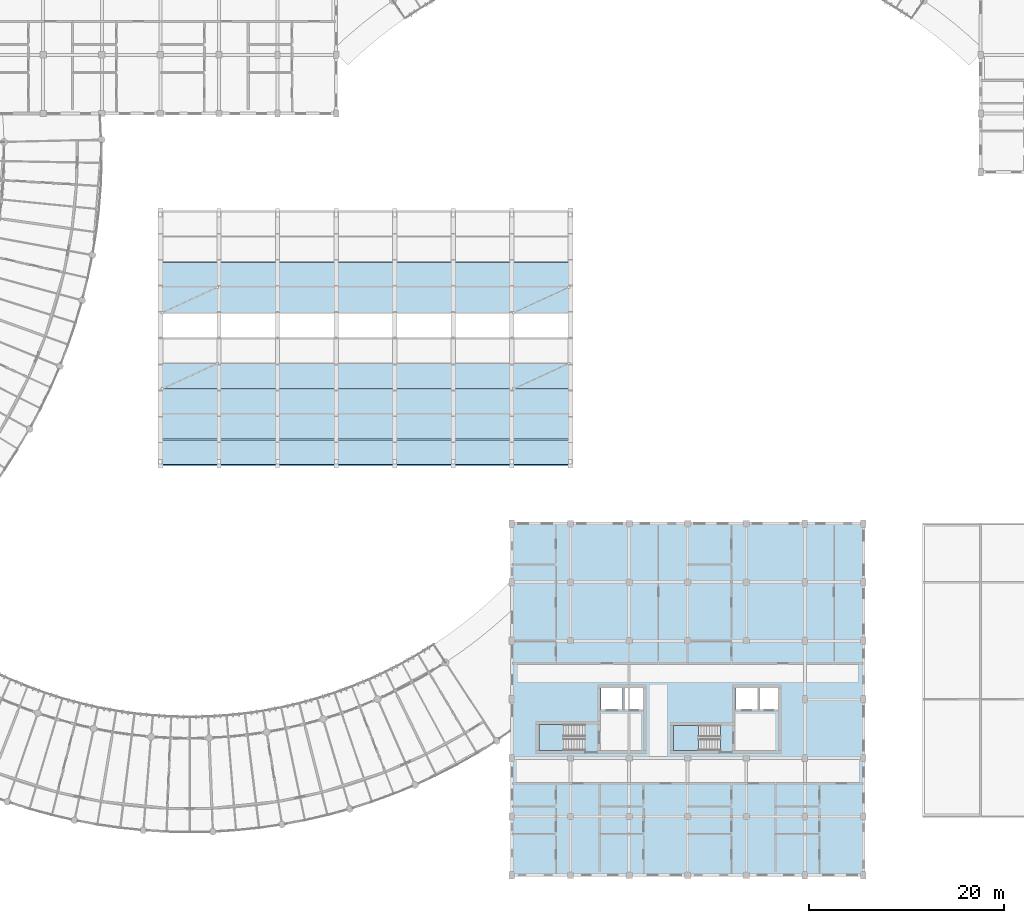
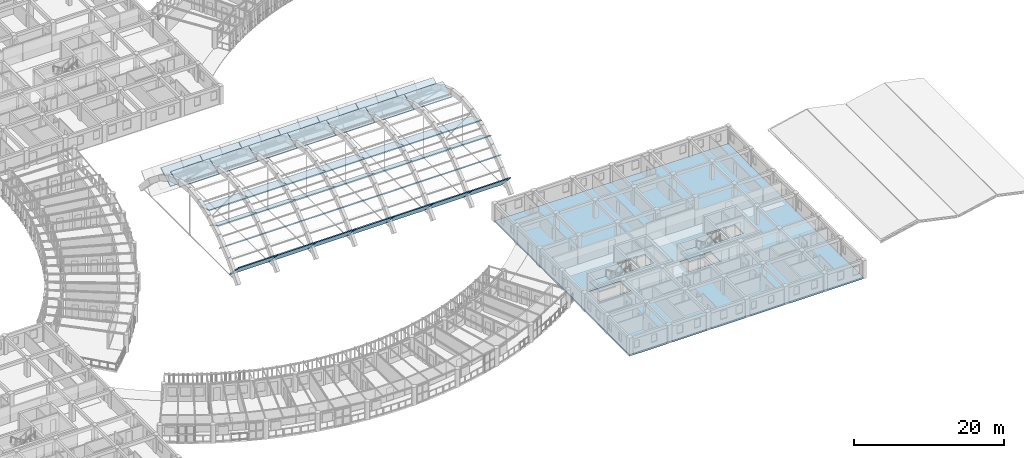
# One storey, part 63 of 123: 42 plates, 3 slabs, 2 elements without a shape of their own.
"""IFC4 building model written with IfcOpenShell, lengths in metres."""

from ifc_helpers import new_model, si_unit, direction, frame, origin, origin_2d, place, context, subcontext, project, spatial, polyline, rectangle, outline, extrude, material, layer, layer_set, type_object, element, aggregate, save


model = new_model("IFC4")

# Units and contexts
model_context = context("Model", 3, precision=1e-05, world=origin(), true_north=direction((0.0, 1.0)))
body_context = subcontext(model_context, "Body", "Model", "MODEL_VIEW")
ifc_project = project(units=[si_unit("LENGTHUNIT", "METRE"), si_unit("AREAUNIT", "SQUARE_METRE"), si_unit("VOLUMEUNIT", "CUBIC_METRE"), si_unit("PLANEANGLEUNIT", "RADIAN"), si_unit("MASSUNIT", "GRAM", prefix="KILO"), si_unit("POWERUNIT", "WATT"), si_unit("THERMODYNAMICTEMPERATUREUNIT", "KELVIN")], contexts=[model_context])

# Site, building, storey
site_placement = place(None, origin())
site = spatial("IfcSite", under=ifc_project, at=site_placement, CompositionType="ELEMENT")
building_placement = place(site_placement, origin())
building = spatial("IfcBuilding", under=site, at=building_placement, Name="Ruvembo Vaulted Housing Court", CompositionType="ELEMENT")
storey_placement = place(building_placement, frame((0.0, 0.0, 7.699951171875)))
storey = spatial("IfcBuildingStorey", under=building, at=storey_placement, Name="L02", CompositionType="ELEMENT", Elevation=7.699951171875)

# Plates
ifc_material_1 = material(Name="Precast concrete C35/45", Category="concrete")
ifc_layer_1 = layer(ifc_material_1, 0.139892578125, Name="Precast concrete C35/45")
ifc_layer_set_1 = layer_set([ifc_layer_1], Name="Precast concrete C35/45")
plate_type_1 = type_object("IfcPlateType", Name="PL-VAULT-140", PredefinedType="USERDEFINED", material=ifc_layer_set_1)
plate_1_placement = place(storey_placement, frame((69.0, 48.464599609375, 4.138671875), z_axis=(0.0, 0.504693374562, 0.863298672345), x_axis=(1.0, 0.0, 0.0)))
element("IfcPlate", 1, at=plate_1_placement, inside=storey, type_object=plate_type_1, Name="Precast Vault Haunch Shell Panel Bay 1.2", ObjectType="VAULT_SHELL_PANEL", PredefinedType="USERDEFINED", context=body_context, shape_type="SweptSolid", body=[
    extrude(rectangle(XDim=5.9599609375, YDim=2.981689453125, at=origin_2d()), origin(), (0.0, 0.0, 1.0), 0.139892578125),
])
for number, where, z_axis, x_axis, name in (
    (2, (69.0, 51.076904296875, 5.34912109375), (0.0, 0.330992050945, 0.94363354233), (1.0, 0.0, 0.0), "Precast Vault Haunch Shell Panel Bay 1.3"),
    (3, (69.0, 58.923095703125, 5.34912109375), (0.0, -0.330992050945, 0.94363354233), (1.0, 0.0, 0.0), "Precast Vault Haunch Shell Panel Bay 1.6"),
):
    element("IfcPlate", number, at=place(storey_placement, frame(where, z_axis=z_axis, x_axis=x_axis)), inside=storey, type_object=plate_type_1, Name=name, ObjectType="VAULT_SHELL_PANEL", PredefinedType="USERDEFINED", context=body_context, shape_type="SweptSolid", body=[
        extrude(rectangle(XDim=5.9599609375, YDim=2.725341796875, at=origin_2d()), origin(), (0.0, 0.0, 1.0), 0.139892578125),
    ])
for number, where, z_axis, x_axis, name in (
    (4, (69.0, 61.535400390625, 4.138671875), (0.0, -0.504693374562, 0.863298672345), (1.0, 0.0, 0.0), "Precast Vault Haunch Shell Panel Bay 1.7"),
    (5, (75.0, 48.464599609375, 4.138671875), (0.0, 0.504693374562, 0.863298672345), (1.0, 0.0, 0.0), "Precast Vault Haunch Shell Panel Bay 2.2"),
):
    element("IfcPlate", number, at=place(storey_placement, frame(where, z_axis=z_axis, x_axis=x_axis)), inside=storey, type_object=plate_type_1, Name=name, ObjectType="VAULT_SHELL_PANEL", PredefinedType="USERDEFINED", context=body_context, shape_type="SweptSolid", body=[
        extrude(rectangle(XDim=5.9599609375, YDim=2.981689453125, at=origin_2d()), origin(), (0.0, 0.0, 1.0), 0.139892578125),
    ])
for number, where, z_axis, x_axis, name in (
    (6, (75.0, 51.076904296875, 5.34912109375), (0.0, 0.330992050945, 0.94363354233), (1.0, 0.0, 0.0), "Precast Vault Haunch Shell Panel Bay 2.3"),
    (7, (75.0, 58.923095703125, 5.34912109375), (0.0, -0.330992050945, 0.94363354233), (1.0, 0.0, 0.0), "Precast Vault Haunch Shell Panel Bay 2.6"),
):
    element("IfcPlate", number, at=place(storey_placement, frame(where, z_axis=z_axis, x_axis=x_axis)), inside=storey, type_object=plate_type_1, Name=name, ObjectType="VAULT_SHELL_PANEL", PredefinedType="USERDEFINED", context=body_context, shape_type="SweptSolid", body=[
        extrude(rectangle(XDim=5.9599609375, YDim=2.725341796875, at=origin_2d()), origin(), (0.0, 0.0, 1.0), 0.139892578125),
    ])
for number, where, z_axis, x_axis, name in (
    (8, (75.0, 61.535400390625, 4.138671875), (0.0, -0.504693374562, 0.863298672345), (1.0, 0.0, 0.0), "Precast Vault Haunch Shell Panel Bay 2.7"),
    (9, (81.0, 48.464599609375, 4.138671875), (0.0, 0.504693374562, 0.863298672345), (1.0, 0.0, 0.0), "Precast Vault Haunch Shell Panel Bay 3.2"),
):
    element("IfcPlate", number, at=place(storey_placement, frame(where, z_axis=z_axis, x_axis=x_axis)), inside=storey, type_object=plate_type_1, Name=name, ObjectType="VAULT_SHELL_PANEL", PredefinedType="USERDEFINED", context=body_context, shape_type="SweptSolid", body=[
        extrude(rectangle(XDim=5.9599609375, YDim=2.981689453125, at=origin_2d()), origin(), (0.0, 0.0, 1.0), 0.139892578125),
    ])
for number, where, z_axis, x_axis, name in (
    (10, (81.0, 51.076904296875, 5.34912109375), (0.0, 0.330992050945, 0.94363354233), (1.0, 0.0, 0.0), "Precast Vault Haunch Shell Panel Bay 3.3"),
    (11, (81.0, 58.923095703125, 5.34912109375), (0.0, -0.330992050945, 0.94363354233), (1.0, 0.0, 0.0), "Precast Vault Haunch Shell Panel Bay 3.6"),
):
    element("IfcPlate", number, at=place(storey_placement, frame(where, z_axis=z_axis, x_axis=x_axis)), inside=storey, type_object=plate_type_1, Name=name, ObjectType="VAULT_SHELL_PANEL", PredefinedType="USERDEFINED", context=body_context, shape_type="SweptSolid", body=[
        extrude(rectangle(XDim=5.9599609375, YDim=2.725341796875, at=origin_2d()), origin(), (0.0, 0.0, 1.0), 0.139892578125),
    ])
for number, where, z_axis, x_axis, name in (
    (12, (81.0, 61.535400390625, 4.138671875), (0.0, -0.504693374562, 0.863298672345), (1.0, 0.0, 0.0), "Precast Vault Haunch Shell Panel Bay 3.7"),
    (13, (87.0, 48.464599609375, 4.138671875), (0.0, 0.504693374562, 0.863298672345), (1.0, 0.0, 0.0), "Precast Vault Haunch Shell Panel Bay 4.2"),
):
    element("IfcPlate", number, at=place(storey_placement, frame(where, z_axis=z_axis, x_axis=x_axis)), inside=storey, type_object=plate_type_1, Name=name, ObjectType="VAULT_SHELL_PANEL", PredefinedType="USERDEFINED", context=body_context, shape_type="SweptSolid", body=[
        extrude(rectangle(XDim=5.9599609375, YDim=2.981689453125, at=origin_2d()), origin(), (0.0, 0.0, 1.0), 0.139892578125),
    ])
for number, where, z_axis, x_axis, name in (
    (14, (87.0, 51.076904296875, 5.34912109375), (0.0, 0.330992050945, 0.94363354233), (1.0, 0.0, 0.0), "Precast Vault Haunch Shell Panel Bay 4.3"),
    (15, (87.0, 58.923095703125, 5.34912109375), (0.0, -0.330992050945, 0.94363354233), (1.0, 0.0, 0.0), "Precast Vault Haunch Shell Panel Bay 4.6"),
):
    element("IfcPlate", number, at=place(storey_placement, frame(where, z_axis=z_axis, x_axis=x_axis)), inside=storey, type_object=plate_type_1, Name=name, ObjectType="VAULT_SHELL_PANEL", PredefinedType="USERDEFINED", context=body_context, shape_type="SweptSolid", body=[
        extrude(rectangle(XDim=5.9599609375, YDim=2.725341796875, at=origin_2d()), origin(), (0.0, 0.0, 1.0), 0.139892578125),
    ])
for number, where, z_axis, x_axis, name in (
    (16, (87.0, 61.535400390625, 4.138671875), (0.0, -0.504693374562, 0.863298672345), (1.0, 0.0, 0.0), "Precast Vault Haunch Shell Panel Bay 4.7"),
    (17, (93.0, 48.464599609375, 4.138671875), (0.0, 0.504693374562, 0.863298672345), (1.0, 0.0, 0.0), "Precast Vault Haunch Shell Panel Bay 5.2"),
):
    element("IfcPlate", number, at=place(storey_placement, frame(where, z_axis=z_axis, x_axis=x_axis)), inside=storey, type_object=plate_type_1, Name=name, ObjectType="VAULT_SHELL_PANEL", PredefinedType="USERDEFINED", context=body_context, shape_type="SweptSolid", body=[
        extrude(rectangle(XDim=5.9599609375, YDim=2.981689453125, at=origin_2d()), origin(), (0.0, 0.0, 1.0), 0.139892578125),
    ])
for number, where, z_axis, x_axis, name in (
    (18, (93.0, 51.076904296875, 5.34912109375), (0.0, 0.330992050945, 0.94363354233), (1.0, 0.0, 0.0), "Precast Vault Haunch Shell Panel Bay 5.3"),
    (19, (93.0, 58.923095703125, 5.34912109375), (0.0, -0.330992050945, 0.94363354233), (1.0, 0.0, 0.0), "Precast Vault Haunch Shell Panel Bay 5.6"),
):
    element("IfcPlate", number, at=place(storey_placement, frame(where, z_axis=z_axis, x_axis=x_axis)), inside=storey, type_object=plate_type_1, Name=name, ObjectType="VAULT_SHELL_PANEL", PredefinedType="USERDEFINED", context=body_context, shape_type="SweptSolid", body=[
        extrude(rectangle(XDim=5.9599609375, YDim=2.725341796875, at=origin_2d()), origin(), (0.0, 0.0, 1.0), 0.139892578125),
    ])
for number, where, z_axis, x_axis, name in (
    (20, (93.0, 61.535400390625, 4.138671875), (0.0, -0.504693374562, 0.863298672345), (1.0, 0.0, 0.0), "Precast Vault Haunch Shell Panel Bay 5.7"),
    (21, (99.0, 48.464599609375, 4.138671875), (0.0, 0.504693374562, 0.863298672345), (1.0, 0.0, 0.0), "Precast Vault Haunch Shell Panel Bay 6.2"),
):
    element("IfcPlate", number, at=place(storey_placement, frame(where, z_axis=z_axis, x_axis=x_axis)), inside=storey, type_object=plate_type_1, Name=name, ObjectType="VAULT_SHELL_PANEL", PredefinedType="USERDEFINED", context=body_context, shape_type="SweptSolid", body=[
        extrude(rectangle(XDim=5.9599609375, YDim=2.981689453125, at=origin_2d()), origin(), (0.0, 0.0, 1.0), 0.139892578125),
    ])
for number, where, z_axis, x_axis, name in (
    (22, (99.0, 51.076904296875, 5.34912109375), (0.0, 0.330992050945, 0.94363354233), (1.0, 0.0, 0.0), "Precast Vault Haunch Shell Panel Bay 6.3"),
    (23, (99.0, 58.923095703125, 5.34912109375), (0.0, -0.330992050945, 0.94363354233), (1.0, 0.0, 0.0), "Precast Vault Haunch Shell Panel Bay 6.6"),
):
    element("IfcPlate", number, at=place(storey_placement, frame(where, z_axis=z_axis, x_axis=x_axis)), inside=storey, type_object=plate_type_1, Name=name, ObjectType="VAULT_SHELL_PANEL", PredefinedType="USERDEFINED", context=body_context, shape_type="SweptSolid", body=[
        extrude(rectangle(XDim=5.9599609375, YDim=2.725341796875, at=origin_2d()), origin(), (0.0, 0.0, 1.0), 0.139892578125),
    ])
for number, where, z_axis, x_axis, name in (
    (24, (99.0, 61.535400390625, 4.138671875), (0.0, -0.504693374562, 0.863298672345), (1.0, 0.0, 0.0), "Precast Vault Haunch Shell Panel Bay 6.7"),
    (25, (105.0, 48.464599609375, 4.138671875), (0.0, 0.504693374562, 0.863298672345), (1.0, 0.0, 0.0), "Precast Vault Haunch Shell Panel Bay 7.2"),
):
    element("IfcPlate", number, at=place(storey_placement, frame(where, z_axis=z_axis, x_axis=x_axis)), inside=storey, type_object=plate_type_1, Name=name, ObjectType="VAULT_SHELL_PANEL", PredefinedType="USERDEFINED", context=body_context, shape_type="SweptSolid", body=[
        extrude(rectangle(XDim=5.9599609375, YDim=2.981689453125, at=origin_2d()), origin(), (0.0, 0.0, 1.0), 0.139892578125),
    ])
for number, where, z_axis, x_axis, name in (
    (26, (105.0, 51.076904296875, 5.34912109375), (0.0, 0.330992050945, 0.94363354233), (1.0, 0.0, 0.0), "Precast Vault Haunch Shell Panel Bay 7.3"),
    (27, (105.0, 58.923095703125, 5.34912109375), (0.0, -0.330992050945, 0.94363354233), (1.0, 0.0, 0.0), "Precast Vault Haunch Shell Panel Bay 7.6"),
):
    element("IfcPlate", number, at=place(storey_placement, frame(where, z_axis=z_axis, x_axis=x_axis)), inside=storey, type_object=plate_type_1, Name=name, ObjectType="VAULT_SHELL_PANEL", PredefinedType="USERDEFINED", context=body_context, shape_type="SweptSolid", body=[
        extrude(rectangle(XDim=5.9599609375, YDim=2.725341796875, at=origin_2d()), origin(), (0.0, 0.0, 1.0), 0.139892578125),
    ])
plate_2_placement = place(storey_placement, frame((105.0, 61.535400390625, 4.138671875), z_axis=(0.0, -0.504693374562, 0.863298672345), x_axis=(1.0, 0.0, 0.0)))
element("IfcPlate", 28, at=plate_2_placement, inside=storey, type_object=plate_type_1, Name="Precast Vault Haunch Shell Panel Bay 7.7", ObjectType="VAULT_SHELL_PANEL", PredefinedType="USERDEFINED", context=body_context, shape_type="SweptSolid", body=[
    extrude(rectangle(XDim=5.9599609375, YDim=2.981689453125, at=origin_2d()), origin(), (0.0, 0.0, 1.0), 0.139892578125),
])
ifc_layer_2 = layer(ifc_material_1, 0.14794921875, Name="Precast concrete C35/45")
ifc_layer_set_2 = layer_set([ifc_layer_2], Name="Precast concrete C35/45")
plate_type_2 = type_object("IfcPlateType", Name="PL-VAULT-148", PredefinedType="USERDEFINED", material=ifc_layer_set_2)
for number, where, z_axis, x_axis, name in (
    (29, (69.0, 45.85302734375, 2.31787109375), (0.0, 0.633367366472, 0.77385126419), (1.0, 0.0, 0.0), "Precast Vault Haunch Shell Panel Bay 1.1"),
    (30, (75.0, 45.85302734375, 2.31787109375), (0.0, 0.633367366472, 0.77385126419), (1.0, 0.0, 0.0), "Precast Vault Haunch Shell Panel Bay 2.1"),
    (31, (81.0, 45.85302734375, 2.31787109375), (0.0, 0.633367366472, 0.77385126419), (1.0, 0.0, 0.0), "Precast Vault Haunch Shell Panel Bay 3.1"),
    (32, (87.0, 45.85302734375, 2.31787109375), (0.0, 0.633367366472, 0.77385126419), (1.0, 0.0, 0.0), "Precast Vault Haunch Shell Panel Bay 4.1"),
    (33, (93.0, 45.85302734375, 2.31787109375), (0.0, 0.633367366472, 0.77385126419), (1.0, 0.0, 0.0), "Precast Vault Haunch Shell Panel Bay 5.1"),
    (34, (99.0, 45.85302734375, 2.31787109375), (0.0, 0.633367366472, 0.77385126419), (1.0, 0.0, 0.0), "Precast Vault Haunch Shell Panel Bay 6.1"),
    (35, (105.0, 45.85302734375, 2.31787109375), (0.0, 0.633367366472, 0.77385126419), (1.0, 0.0, 0.0), "Precast Vault Haunch Shell Panel Bay 7.1"),
):
    element("IfcPlate", number, at=place(storey_placement, frame(where, z_axis=z_axis, x_axis=x_axis)), inside=storey, type_object=plate_type_2, Name=name, ObjectType="VAULT_SHELL_PANEL", PredefinedType="USERDEFINED", context=body_context, shape_type="SweptSolid", body=[
        extrude(rectangle(XDim=5.9599609375, YDim=3.329833984375, at=origin_2d()), origin(), (0.0, 0.0, 1.0), 0.14794921875),
    ])
ifc_layer_3 = layer(ifc_material_1, 0.155029296875, Name="Precast concrete C35/45")
ifc_layer_set_3 = layer_set([ifc_layer_3], Name="Precast concrete C35/45")
plate_type_3 = type_object("IfcPlateType", Name="PL-VAULT-155", PredefinedType="USERDEFINED", material=ifc_layer_set_3)
for number, where, z_axis, x_axis, name in (
    (36, (69.0, 43.243896484375, -0.1103515625), (0.0, 0.724893632131, 0.688860814748), (1.0, 0.0, 0.0), "Precast Vault Haunch Shell Panel Bay 1.0"),
    (37, (75.0, 43.243896484375, -0.1103515625), (0.0, 0.724893632131, 0.688860814748), (1.0, 0.0, 0.0), "Precast Vault Haunch Shell Panel Bay 2.0"),
    (38, (81.0, 43.243896484375, -0.1103515625), (0.0, 0.724893632131, 0.688860814748), (1.0, 0.0, 0.0), "Precast Vault Haunch Shell Panel Bay 3.0"),
    (39, (87.0, 43.243896484375, -0.1103515625), (0.0, 0.724893632131, 0.688860814748), (1.0, 0.0, 0.0), "Precast Vault Haunch Shell Panel Bay 4.0"),
    (40, (93.0, 43.243896484375, -0.1103515625), (0.0, 0.724893632131, 0.688860814748), (1.0, 0.0, 0.0), "Precast Vault Haunch Shell Panel Bay 5.0"),
    (41, (99.0, 43.243896484375, -0.1103515625), (0.0, 0.724893632131, 0.688860814748), (1.0, 0.0, 0.0), "Precast Vault Haunch Shell Panel Bay 6.0"),
    (42, (105.0, 43.243896484375, -0.1103515625), (0.0, 0.724893632131, 0.688860814748), (1.0, 0.0, 0.0), "Precast Vault Haunch Shell Panel Bay 7.0"),
):
    element("IfcPlate", number, at=place(storey_placement, frame(where, z_axis=z_axis, x_axis=x_axis)), inside=storey, type_object=plate_type_3, Name=name, ObjectType="VAULT_SHELL_PANEL", PredefinedType="USERDEFINED", context=body_context, shape_type="SweptSolid", body=[
        extrude(rectangle(XDim=5.9599609375, YDim=3.744384765625, at=origin_2d()), origin(), (0.0, 0.0, 1.0), 0.155029296875),
    ])

# Slab
ifc_material_2 = material(Name="Concrete C30/37", Category="concrete")
ifc_layer_4 = layer(ifc_material_2, 0.2548828125, Name="Concrete C30/37")
ifc_layer_set_4 = layer_set([ifc_layer_4], Name="Concrete C30/37")
slab_type_1 = type_object("IfcSlabType", Name="SL-FLR-255", PredefinedType="FLOOR", material=ifc_layer_set_4)
slab_1_placement = place(storey_placement, frame((0.0, 0.0, -0.2548828125)))
element("IfcSlab", 43, at=slab_1_placement, inside=storey, type_object=slab_type_1, Name="Block C L02 Structural Floor Slab", PredefinedType="FLOOR", context=body_context, shape_type="SweptSolid", body=[
    extrude(outline(polyline([(138.0, 0.0), (138.0, 36.0), (102.0, 36.0), (102.0, 0.0), (138.0, 0.0)]), holes=[polyline([(109.5, 15.449951171875), (104.75, 15.449951171875), (104.75, 12.75), (109.5, 12.75), (109.5, 15.449951171875)]), polyline([(111.14990234375, 16.85009765625), (113.35009765625, 16.85009765625), (113.35009765625, 19.25), (111.14990234375, 19.25), (111.14990234375, 16.85009765625)]), polyline([(113.60009765625, 16.85009765625), (115.449951171875, 16.85009765625), (115.449951171875, 19.25), (113.60009765625, 19.25), (113.60009765625, 16.85009765625)]), polyline([(123.35009765625, 15.35009765625), (118.550048828125, 15.35009765625), (118.550048828125, 12.75), (123.35009765625, 12.75), (123.35009765625, 15.35009765625)]), polyline([(124.949951171875, 16.85009765625), (127.14990234375, 16.85009765625), (127.14990234375, 19.25), (124.949951171875, 19.25), (124.949951171875, 16.85009765625)]), polyline([(127.39990234375, 16.85009765625), (129.25, 16.85009765625), (129.25, 19.25), (127.39990234375, 19.25), (127.39990234375, 16.85009765625)])]), origin(), (0.0, 0.0, 1.0), 0.2548828125),
])

# Stair, slab
ifc_material_3 = material(Name="Concrete C35/45", Category="concrete")
stair_type_1 = type_object("IfcStairType", Name="STR-CORE-1250", PredefinedType="HALF_TURN_STAIR", material=ifc_material_3)
stair_1_placement = place(storey_placement, origin())
stair_1 = element("IfcStair", 44, at=stair_1_placement, inside=storey, type_object=stair_type_1, Name="L02 Protected Exit Stair ST-C1", PredefinedType="HALF_TURN_STAIR")
ifc_layer_5 = layer(ifc_material_2, 0.201904296875, Name="Concrete C30/37")
ifc_layer_set_5 = layer_set([ifc_layer_5], Name="Concrete C30/37")
slab_type_2 = type_object("IfcSlabType", Name="SL-LAND-202", PredefinedType="LANDING", material=ifc_layer_set_5)
slab_2_placement = place(storey_placement, frame((0.0, 0.0, 1.400146484375)))
slab_2 = element("IfcSlab", 45, at=slab_2_placement, type_object=slab_type_2, Name="ST-C1 landing 1", PredefinedType="LANDING", context=body_context, shape_type="SweptSolid", body=[
    extrude(outline(polyline([(107.260009765625, 15.449951171875), (104.75, 15.449951171875), (104.75, 12.75), (107.260009765625, 12.75), (107.260009765625, 15.449951171875)])), origin(), (0.0, 0.0, 1.0), 0.199951171875),
])
aggregate(stair_1, [slab_2])

stair_type_2 = type_object("IfcStairType", Name="STR-CORE-1200", PredefinedType="HALF_TURN_STAIR", material=ifc_material_3)
stair_2_placement = place(storey_placement, origin())
stair_2 = element("IfcStair", 46, at=stair_2_placement, inside=storey, type_object=stair_type_2, Name="L02 Protected Exit Stair ST-C2", PredefinedType="HALF_TURN_STAIR")
slab_3_placement = place(storey_placement, frame((0.0, 0.0, 1.400146484375)))
slab_3 = element("IfcSlab", 47, at=slab_3_placement, type_object=slab_type_2, Name="ST-C2 landing 1", PredefinedType="LANDING", context=body_context, shape_type="SweptSolid", body=[
    extrude(outline(polyline([(121.110107421875, 15.35009765625), (118.550048828125, 15.35009765625), (118.550048828125, 12.75), (121.110107421875, 12.75), (121.110107421875, 15.35009765625)])), origin(), (0.0, 0.0, 1.0), 0.199951171875),
])
aggregate(stair_2, [slab_3])

save(model, "model.ifc")
